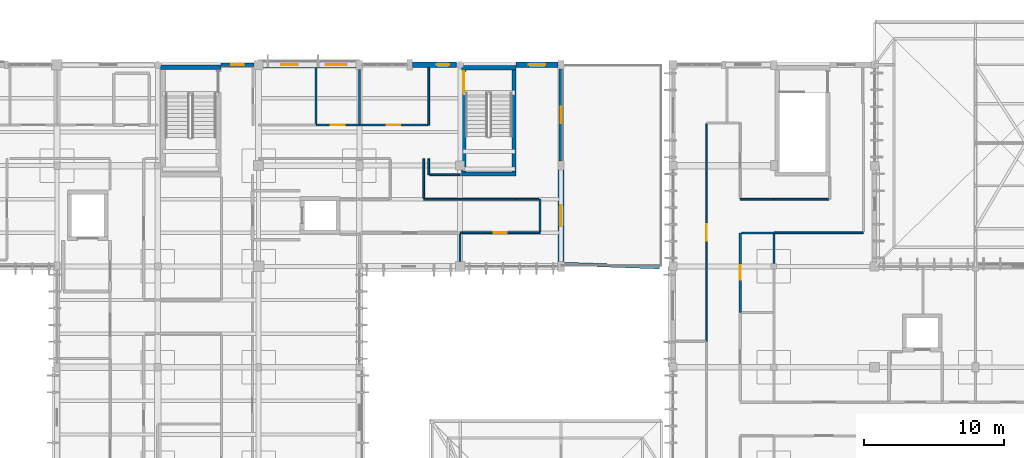
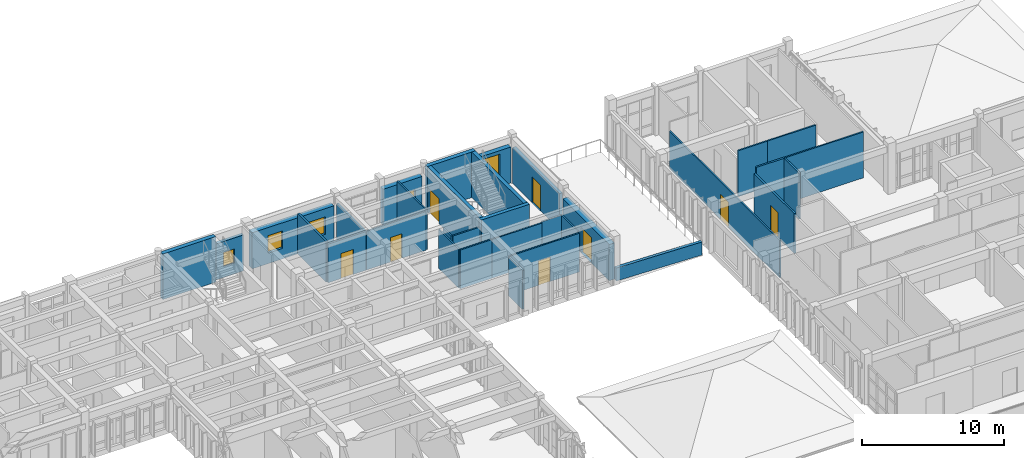
# One storey, part 38 of 51: 33 walls, 8 doors, 5 windows, 13 openings.
"""IFC4 building model written with IfcOpenShell, lengths in metres."""

from ifc_helpers import new_model, si_unit, direction, frame, frame_2d, origin, place, context, subcontext, project, spatial, rectangle, extrude, material, layer, layer_set, type_object, element, fill, save


model = new_model("IFC4")

# Units and contexts
model_context = context("Model", 3, precision=1e-05, world=origin(), true_north=direction((0.0, 1.0)))
body_context = subcontext(model_context, "Body", "Model", "MODEL_VIEW")
ifc_project = project(units=[si_unit("LENGTHUNIT", "METRE"), si_unit("AREAUNIT", "SQUARE_METRE"), si_unit("VOLUMEUNIT", "CUBIC_METRE"), si_unit("PLANEANGLEUNIT", "RADIAN"), si_unit("MASSUNIT", "GRAM", prefix="KILO")], contexts=[model_context])

# Site, building, storey
site_placement = place(None, origin())
site = spatial("IfcSite", under=ifc_project, at=site_placement, CompositionType="ELEMENT")
building_placement = place(site_placement, origin())
building = spatial("IfcBuilding", under=site, at=building_placement, Name="Steenspoor Specialist Clinic", CompositionType="ELEMENT")
storey_placement = place(building_placement, frame((0.0, 0.0, 17.39990234375)))
storey = spatial("IfcBuildingStorey", under=building, at=storey_placement, Name="L04", CompositionType="ELEMENT", Elevation=17.39990234375)

# Wall, opening, window
ifc_material_1 = material(Name="Extruded clay brick masonry", Category="masonry")
ifc_layer_1 = layer(ifc_material_1, 0.3798828125)
ifc_layer_set_1 = layer_set([ifc_layer_1], Name="Extruded clay brick masonry")
wall_type_1 = type_object("IfcWallType", Name="W-BRICK-380", PredefinedType="USERDEFINED", material=ifc_layer_set_1)
wall_1_placement = place(storey_placement, frame((106.800048828125, 108.35009765625, 0.0), z_axis=(0.0, 0.0, 1.0), x_axis=(1.0, 0.0, 0.0)))
wall_1 = element("IfcWall", 1, at=wall_1_placement, inside=storey, type_object=wall_type_1, Name="Exterior Brick Wall EW-V4-L04-0206", ObjectType="CAVITY VENEER", PredefinedType="USERDEFINED", context=body_context, shape_type="SweptSolid", body=[
    extrude(rectangle(XDim=2.974853515625, YDim=0.3798828125, at=frame_2d((1.4873046875, 0.0))), origin(), (0.0, 0.0, 1.0), 3.10009765625),
])
opening_1_placement = place(wall_1_placement, frame((0.887451171875, 0.0, 0.60009765625)))
opening_1 = element("IfcOpeningElement", 2, at=opening_1_placement, cuts=wall_1, Name="Opening WN-15", PredefinedType="OPENING", context=body_context, shape_type="SweptSolid", body=[
    extrude(rectangle(XDim=1.199951171875, YDim=2.199951171875, at=frame_2d((0.60009765625, 1.10009765625))), frame((0.0, 0.199951171875, 0.0), z_axis=(0.0, -1.0, 0.0), x_axis=(1.0, 0.0, 0.0)), (0.0, 0.0, 1.0), 0.39990234375),
])
ifc_material_2 = material(Name="Thermally broken aluminium and low-emissivity glass", Category="aluminium")
window_type_1 = type_object("IfcWindowType", Name="WN-EXT-120X220", PartitioningType="SINGLE_PANEL", PredefinedType="WINDOW", material=ifc_material_2)
window_1_placement = place(opening_1_placement, origin())
window_1 = element("IfcWindow", 3, at=window_1_placement, inside=storey, type_object=window_type_1, Name="Window 0232", OverallHeight=2.199951171875, OverallWidth=1.199951171875, PartitioningType="SINGLE_PANEL", PredefinedType="WINDOW", context=body_context, shape_type="SweptSolid", body=[
    extrude(rectangle(XDim=1.199951171875, YDim=2.199951171875, at=frame_2d((0.60009765625, 1.10009765625))), frame((0.0, 0.030029296875, 0.0), z_axis=(0.0, -1.0, 0.0), x_axis=(1.0, 0.0, 0.0)), (0.0, 0.0, 1.0), 0.06005859375),
])
fill(opening_1, window_1)

ifc_layer_2 = layer(ifc_material_1, 0.409912109375)
ifc_layer_set_2 = layer_set([ifc_layer_2], Name="Extruded clay brick masonry")
wall_type_2 = type_object("IfcWallType", Name="W-BRICK-410", PredefinedType="USERDEFINED", material=ifc_layer_set_2)
wall_2_placement = place(storey_placement, frame((99.389892578125, 108.35009765625, 0.0), z_axis=(0.0, 0.0, 1.0), x_axis=(1.0, 0.0, 0.0)))
wall_2 = element("IfcWall", 4, at=wall_2_placement, inside=storey, type_object=wall_type_2, Name="Exterior Brick Wall EW-V4-L04-0205", ObjectType="CAVITY VENEER", PredefinedType="USERDEFINED", context=body_context, shape_type="SweptSolid", body=[
    extrude(rectangle(XDim=3.16015625, YDim=0.409912109375, at=frame_2d((1.580078125, 0.0))), origin(), (0.0, 0.0, 1.0), 3.10009765625),
])
opening_2_placement = place(wall_2_placement, frame((1.719970703125, 0.0, 0.949951171875)))
opening_2 = element("IfcOpeningElement", 5, at=opening_2_placement, cuts=wall_2, Name="Opening WN-21", PredefinedType="OPENING", context=body_context, shape_type="SweptSolid", body=[
    extrude(rectangle(XDim=0.89990234375, YDim=1.199951171875, at=frame_2d((0.449951171875, 0.60009765625))), frame((0.0, 0.21484375, 0.0), z_axis=(0.0, -1.0, 0.0), x_axis=(1.0, 0.0, 0.0)), (0.0, 0.0, 1.0), 0.429931640625),
])
window_type_2 = type_object("IfcWindowType", Name="WN-EXT-090X120", PartitioningType="SINGLE_PANEL", PredefinedType="WINDOW", material=ifc_material_2)
window_2_placement = place(opening_2_placement, origin())
window_2 = element("IfcWindow", 6, at=window_2_placement, inside=storey, type_object=window_type_2, Name="Window 0231", OverallHeight=1.199951171875, OverallWidth=0.89990234375, PartitioningType="SINGLE_PANEL", PredefinedType="WINDOW", context=body_context, shape_type="SweptSolid", body=[
    extrude(rectangle(XDim=0.89990234375, YDim=1.199951171875, at=frame_2d((0.449951171875, 0.60009765625))), frame((0.0, 0.030029296875, 0.0), z_axis=(0.0, -1.0, 0.0), x_axis=(1.0, 0.0, 0.0)), (0.0, 0.0, 1.0), 0.06005859375),
])
fill(opening_2, window_2)

# Wall, openings, windows
ifc_layer_3 = layer(ifc_material_1, 0.43994140625)
ifc_layer_set_3 = layer_set([ifc_layer_3], Name="Extruded clay brick masonry")
wall_type_3 = type_object("IfcWallType", Name="W-BRICK-440", PredefinedType="USERDEFINED", material=ifc_layer_set_3)
wall_3_placement = place(storey_placement, frame((88.72509765625, 108.35009765625, 0.0), z_axis=(0.0, 0.0, 1.0), x_axis=(1.0, 0.0, 0.0)))
wall_3 = element("IfcWall", 7, at=wall_3_placement, inside=storey, type_object=wall_type_3, Name="Exterior Brick Wall EW-V4-L04-0204", ObjectType="CAVITY VENEER", PredefinedType="USERDEFINED", context=body_context, shape_type="SweptSolid", body=[
    extrude(rectangle(XDim=6.64990234375, YDim=0.43994140625, at=frame_2d((3.324951171875, 0.0))), origin(), (0.0, 0.0, 1.0), 3.10009765625),
])
opening_3_placement = place(wall_3_placement, frame((1.277587890625, 0.0, 0.89990234375)))
opening_3 = element("IfcOpeningElement", 8, at=opening_3_placement, cuts=wall_3, Name="Opening WN-11", PredefinedType="OPENING", context=body_context, shape_type="SweptSolid", body=[
    extrude(rectangle(XDim=1.199951171875, YDim=1.5, at=frame_2d((0.60009765625, 0.75))), frame((0.0, 0.22998046875, 0.0), z_axis=(0.0, -1.0, 0.0), x_axis=(1.0, 0.0, 0.0)), (0.0, 0.0, 1.0), 0.4599609375),
])
opening_4_placement = place(wall_3_placement, frame((4.472412109375, 0.0, 0.89990234375)))
opening_4 = element("IfcOpeningElement", 9, at=opening_4_placement, cuts=wall_3, Name="Opening WN-12", PredefinedType="OPENING", context=body_context, shape_type="SweptSolid", body=[
    extrude(rectangle(XDim=1.5, YDim=1.5, at=frame_2d((0.75, 0.75))), frame((0.0, 0.22998046875, 0.0), z_axis=(0.0, -1.0, 0.0), x_axis=(1.0, 0.0, 0.0)), (0.0, 0.0, 1.0), 0.4599609375),
])
window_type_3 = type_object("IfcWindowType", Name="WN-EXT-120X150", PartitioningType="SINGLE_PANEL", PredefinedType="WINDOW", material=ifc_material_2)
window_3_placement = place(opening_3_placement, origin())
window_3 = element("IfcWindow", 10, at=window_3_placement, inside=storey, type_object=window_type_3, Name="Window 0229", OverallHeight=1.5, OverallWidth=1.199951171875, PartitioningType="SINGLE_PANEL", PredefinedType="WINDOW", context=body_context, shape_type="SweptSolid", body=[
    extrude(rectangle(XDim=1.199951171875, YDim=1.5, at=frame_2d((0.60009765625, 0.75))), frame((0.0, 0.030029296875, 0.0), z_axis=(0.0, -1.0, 0.0), x_axis=(1.0, 0.0, 0.0)), (0.0, 0.0, 1.0), 0.06005859375),
])
fill(opening_3, window_3)
window_type_4 = type_object("IfcWindowType", Name="WN-EXT-150X150", PartitioningType="SINGLE_PANEL", PredefinedType="WINDOW", material=ifc_material_2)
window_4_placement = place(opening_4_placement, origin())
window_4 = element("IfcWindow", 11, at=window_4_placement, inside=storey, type_object=window_type_4, Name="Window 0230", OverallHeight=1.5, OverallWidth=1.5, PartitioningType="SINGLE_PANEL", PredefinedType="WINDOW", context=body_context, shape_type="SweptSolid", body=[
    extrude(rectangle(XDim=1.5, YDim=1.5, at=frame_2d((0.75, 0.75))), frame((0.0, 0.030029296875, 0.0), z_axis=(0.0, -1.0, 0.0), x_axis=(1.0, 0.0, 0.0)), (0.0, 0.0, 1.0), 0.06005859375),
])
fill(opening_4, window_4)

# Wall, opening, door
wall_4_placement = place(storey_placement, frame((110.0, 100.824951171875, 0.0), z_axis=(0.0, 0.0, 1.0), x_axis=(0.0, -1.0, 0.0)))
wall_4 = element("IfcWall", 12, at=wall_4_placement, inside=storey, type_object=wall_type_3, Name="Exterior Brick Wall EW-V4-L04-0208", ObjectType="CAVITY VENEER", PredefinedType="USERDEFINED", context=body_context, shape_type="SweptSolid", body=[
    extrude(rectangle(XDim=6.52490234375, YDim=0.43994140625, at=frame_2d((3.262451171875, 0.0))), origin(), (0.0, 0.0, 1.0), 3.10009765625),
])
opening_5_placement = place(wall_4_placement, frame((2.512451171875, 0.0, 0.0)))
opening_5 = element("IfcOpeningElement", 13, at=opening_5_placement, cuts=wall_4, Name="Opening ED28", PredefinedType="OPENING", context=body_context, shape_type="SweptSolid", body=[
    extrude(rectangle(XDim=1.5, YDim=2.199951171875, at=frame_2d((0.75, 1.10009765625))), frame((0.0, 0.22998046875, 0.0), z_axis=(0.0, -1.0, 0.0), x_axis=(1.0, 0.0, 0.0)), (0.0, 0.0, 1.0), 0.4599609375),
])
ifc_material_3 = material(Name="Anodised aluminium and safety glass", Category="aluminium")
door_type_1 = type_object("IfcDoorType", Name="DT-TERR-150X220", OperationType="NOTDEFINED", PredefinedType="DOOR", material=ifc_material_3)
door_1_placement = place(opening_5_placement, origin())
door_1 = element("IfcDoor", 14, at=door_1_placement, inside=storey, type_object=door_type_1, Name="Roof Terrace Door ED28", OperationType="SINGLE_SWING_LEFT", OverallHeight=2.199951171875, OverallWidth=1.5, PredefinedType="DOOR", context=body_context, shape_type="SweptSolid", body=[
    extrude(rectangle(XDim=1.5, YDim=2.199951171875, at=frame_2d((0.75, 1.10009765625))), frame((0.0, 0.02490234375, 0.0), z_axis=(0.0, -1.0, 0.0), x_axis=(1.0, 0.0, 0.0)), (0.0, 0.0, 1.0), 0.050048828125),
])
fill(opening_5, door_1)

ifc_material_4 = material(Name="Gypsum acoustic clinical partition", Category="gypsum")
ifc_layer_4 = layer(ifc_material_4, 0.14990234375)
ifc_layer_set_4 = layer_set([ifc_layer_4], Name="Gypsum acoustic clinical partition")
wall_type_4 = type_object("IfcWallType", Name="W-CLIN-150", PredefinedType="PARTITIONING", material=ifc_layer_set_4)
wall_5_placement = place(storey_placement, frame((92.5, 104.050048828125, 0.0), z_axis=(0.0, 0.0, 1.0), x_axis=(1.0, 0.0, 0.0)))
wall_5 = element("IfcWall", 15, at=wall_5_placement, inside=storey, type_object=wall_type_4, Name="Interior Partition IW-V4-L04-1823", PredefinedType="PARTITIONING", context=body_context, shape_type="SweptSolid", body=[
    extrude(rectangle(XDim=3.10009765625, YDim=0.14990234375, at=frame_2d((1.550048828125, 0.0))), origin(), (0.0, 0.0, 1.0), 3.3251953125),
])
opening_6_placement = place(wall_5_placement, frame((1.050048828125, 0.0, 0.0)))
opening_6 = element("IfcOpeningElement", 16, at=opening_6_placement, cuts=wall_5, Name="Opening D0305", PredefinedType="OPENING", context=body_context, shape_type="SweptSolid", body=[
    extrude(rectangle(XDim=1.0, YDim=2.14990234375, at=frame_2d((0.5, 1.074951171875))), frame((0.0, 0.0849609375, 0.0), z_axis=(0.0, -1.0, 0.0), x_axis=(1.0, 0.0, 0.0)), (0.0, 0.0, 1.0), 0.169921875),
])
ifc_material_5 = material(Name="Moisture-resistant HPL accessible WC door", Category="wood")
door_type_2 = type_object("IfcDoorType", Name="DT-AWC-100X215", OperationType="NOTDEFINED", PredefinedType="DOOR", material=ifc_material_5)
door_2_placement = place(opening_6_placement, origin())
door_2 = element("IfcDoor", 17, at=door_2_placement, inside=storey, type_object=door_type_2, Name="Clinical Door D0305", OperationType="SINGLE_SWING_RIGHT", OverallHeight=2.14990234375, OverallWidth=1.0, PredefinedType="DOOR", context=body_context, shape_type="SweptSolid", body=[
    extrude(rectangle(XDim=1.0, YDim=2.14990234375, at=frame_2d((0.5, 1.074951171875))), frame((0.0, 0.02490234375, 0.0), z_axis=(0.0, -1.0, 0.0), x_axis=(1.0, 0.0, 0.0)), (0.0, 0.0, 1.0), 0.050048828125),
])
fill(opening_6, door_2)

wall_6_placement = place(storey_placement, frame((122.800048828125, 90.6650390625, 0.0), z_axis=(0.0, 0.0, 1.0), x_axis=(0.0, 1.0, 0.0)))
wall_6 = element("IfcWall", 18, at=wall_6_placement, inside=storey, type_object=wall_type_4, Name="Interior Partition IW-V6-L04-1836", PredefinedType="PARTITIONING", context=body_context, shape_type="SweptSolid", body=[
    extrude(rectangle(XDim=5.68505859375, YDim=0.14990234375, at=frame_2d((2.842529296875, 0.0))), origin(), (0.0, 0.0, 1.0), 3.440185546875),
])
opening_7_placement = place(wall_6_placement, frame((2.3173828125, 0.0, 0.0)))
opening_7 = element("IfcOpeningElement", 19, at=opening_7_placement, cuts=wall_6, Name="Opening D0514", PredefinedType="OPENING", context=body_context, shape_type="SweptSolid", body=[
    extrude(rectangle(XDim=1.050048828125, YDim=2.14990234375, at=frame_2d((0.52490234375, 1.074951171875))), frame((0.0, 0.0849609375, 0.0), z_axis=(0.0, -1.0, 0.0), x_axis=(1.0, 0.0, 0.0)), (0.0, 0.0, 1.0), 0.169921875),
])
ifc_material_6 = material(Name="Solid-core hardwood office door", Category="wood")
door_type_3 = type_object("IfcDoorType", Name="DT-OFF-105X215", OperationType="NOTDEFINED", PredefinedType="DOOR", material=ifc_material_6)
door_3_placement = place(opening_7_placement, origin())
door_3 = element("IfcDoor", 20, at=door_3_placement, inside=storey, type_object=door_type_3, Name="Clinical Door D0514", OperationType="SINGLE_SWING_LEFT", OverallHeight=2.14990234375, OverallWidth=1.050048828125, PredefinedType="DOOR", context=body_context, shape_type="SweptSolid", body=[
    extrude(rectangle(XDim=1.050048828125, YDim=2.14990234375, at=frame_2d((0.52490234375, 1.074951171875))), frame((0.0, 0.02490234375, 0.0), z_axis=(0.0, -1.0, 0.0), x_axis=(1.0, 0.0, 0.0)), (0.0, 0.0, 1.0), 0.050048828125),
])
fill(opening_7, door_3)

# Walls
wall_7_placement = place(storey_placement, frame((122.889892578125, 96.35009765625, 0.0), z_axis=(0.0, 0.0, 1.0), x_axis=(1.0, 0.0, 0.0)))
element("IfcWall", 21, at=wall_7_placement, inside=storey, type_object=wall_type_4, Name="Interior Partition IW-V6-L04-1837", PredefinedType="PARTITIONING", context=body_context, shape_type="SweptSolid", body=[
    extrude(rectangle(XDim=2.31005859375, YDim=0.14990234375, at=frame_2d((1.155029296875, 0.0))), origin(), (0.0, 0.0, 1.0), 3.9501953125),
])
wall_8_placement = place(storey_placement, frame((102.800048828125, 94.31494140625, 0.0), z_axis=(0.0, 0.0, 1.0), x_axis=(0.0, 1.0, 0.0)))
element("IfcWall", 22, at=wall_8_placement, inside=storey, type_object=wall_type_4, Name="Interior Partition IW-V4-L04-1908", PredefinedType="PARTITIONING", context=body_context, shape_type="SweptSolid", body=[
    extrude(rectangle(XDim=1.945068359375, YDim=0.14990234375, at=frame_2d((0.97265625, 0.0))), origin(), (0.0, 0.0, 1.0), 3.3251953125),
])
wall_9_placement = place(storey_placement, frame((92.5, 104.139892578125, 0.0), z_axis=(0.0, 0.0, 1.0), x_axis=(0.0, 1.0, 0.0)))
element("IfcWall", 23, at=wall_9_placement, inside=storey, type_object=wall_type_4, Name="Interior Partition IW-V4-L04-1910", PredefinedType="PARTITIONING", context=body_context, shape_type="SweptSolid", body=[
    extrude(rectangle(XDim=3.97509765625, YDim=0.14990234375, at=frame_2d((1.987548828125, 0.0))), origin(), (0.0, 0.0, 1.0), 3.485107421875),
])
wall_10_placement = place(storey_placement, frame((95.60009765625, 104.139892578125, 0.0), z_axis=(0.0, 0.0, 1.0), x_axis=(0.0, 1.0, 0.0)))
element("IfcWall", 24, at=wall_10_placement, inside=storey, type_object=wall_type_4, Name="Interior Partition IW-V4-L04-1911", PredefinedType="PARTITIONING", context=body_context, shape_type="SweptSolid", body=[
    extrude(rectangle(XDim=3.8701171875, YDim=0.14990234375, at=frame_2d((1.93505859375, 0.0))), origin(), (0.0, 0.0, 1.0), 3.3251953125),
])
wall_11_placement = place(storey_placement, frame((125.199951171875, 94.1650390625, 0.0), z_axis=(0.0, 0.0, 1.0), x_axis=(0.0, 1.0, 0.0)))
element("IfcWall", 25, at=wall_11_placement, inside=storey, type_object=wall_type_4, Name="Interior Partition IW-V6-L04-1923", PredefinedType="PARTITIONING", context=body_context, shape_type="SweptSolid", body=[
    extrude(rectangle(XDim=2.094970703125, YDim=0.14990234375, at=frame_2d((1.04736328125, 0.0))), origin(), (0.0, 0.0, 1.0), 3.9501953125),
])
ifc_material_7 = material(Name="Concrete C40/50", Category="concrete")
ifc_layer_5 = layer(ifc_material_7, 0.330078125)
ifc_layer_set_5 = layer_set([ifc_layer_5], Name="Concrete C40/50")
wall_type_5 = type_object("IfcWallType", Name="W-ESW-330", PredefinedType="SHEAR", material=ifc_layer_set_5)
wall_12_placement = place(storey_placement, frame((102.89990234375, 108.14990234375, 0.0), z_axis=(0.0, 0.0, 1.0), x_axis=(1.0, 0.0, 0.0)))
element("IfcWall", 26, at=wall_12_placement, inside=storey, type_object=wall_type_5, Name="Core Shear Wall SW-ST-V4B-L04-N", PredefinedType="SHEAR", context=body_context, shape_type="SweptSolid", body=[
    extrude(rectangle(XDim=3.900146484375, YDim=0.330078125, at=frame_2d((1.9501953125, 0.0))), origin(), (0.0, 0.0, 1.0), 3.920166015625),
])
wall_13_placement = place(storey_placement, frame((81.39990234375, 108.175048828125, 0.0), z_axis=(0.0, 0.0, 1.0), x_axis=(1.0, 0.0, 0.0)))
element("IfcWall", 27, at=wall_13_placement, inside=storey, type_object=wall_type_5, Name="Core Shear Wall SW-ST-V4C-L04-N", PredefinedType="SHEAR", context=body_context, shape_type="SweptSolid", body=[
    extrude(rectangle(XDim=4.300048828125, YDim=0.330078125, at=frame_2d((2.14990234375, 0.0))), origin(), (0.0, 0.0, 1.0), 3.920166015625),
])
ifc_layer_6 = layer(ifc_material_1, 0.239990234375)
ifc_layer_set_6 = layer_set([ifc_layer_6], Name="Extruded clay brick masonry")
wall_type_6 = type_object("IfcWallType", Name="W-PARAPET-240", PredefinedType="PARAPET", material=ifc_layer_set_6)
wall_14_placement = place(storey_placement, frame((110.179931640625, 94.1298828125, 0.0), z_axis=(0.0, 0.0, 1.0), x_axis=(0.999385059583, -0.035064265038, 0.0)))
element("IfcWall", 28, at=wall_14_placement, inside=storey, type_object=wall_type_6, Name="Terrace Brick Parapet V4 L04 2", PredefinedType="PARAPET", context=body_context, shape_type="SweptSolid", body=[
    extrude(rectangle(XDim=6.84423828125, YDim=0.239990234375, at=frame_2d((3.422119140625, 0.0))), origin(), (0.0, 0.0, 1.0), 1.1201171875),
])
ifc_material_8 = material(Name="Gypsum studio partition board", Category="gypsum")
ifc_layer_7 = layer(ifc_material_8, 0.1201171875)
ifc_layer_set_7 = layer_set([ifc_layer_7], Name="Gypsum studio partition board")
wall_type_7 = type_object("IfcWallType", Name="W-PART-120", PredefinedType="PARTITIONING", material=ifc_layer_set_7)
wall_15_placement = place(storey_placement, frame((100.550048828125, 100.5, 0.0), z_axis=(0.0, 0.0, 1.0), x_axis=(0.0, 1.0, 0.0)))
element("IfcWall", 29, at=wall_15_placement, inside=storey, type_object=wall_type_7, Name="Interior Partition IW-V4-L04-1861", PredefinedType="PARTITIONING", context=body_context, shape_type="SweptSolid", body=[
    extrude(rectangle(XDim=1.14990234375, YDim=0.1201171875, at=frame_2d((0.574951171875, 0.0))), origin(), (0.0, 0.0, 1.0), 3.3251953125),
])
wall_16_placement = place(storey_placement, frame((100.625, 100.5, 0.0), z_axis=(0.0, 0.0, 1.0), x_axis=(1.0, 0.0, 0.0)))
element("IfcWall", 30, at=wall_16_placement, inside=storey, type_object=wall_type_7, Name="Interior Partition IW-V4-L04-1862", PredefinedType="PARTITIONING", context=body_context, shape_type="SweptSolid", body=[
    extrude(rectangle(XDim=2.175048828125, YDim=0.1201171875, at=frame_2d((1.08740234375, 0.0))), origin(), (0.0, 0.0, 1.0), 3.3251953125),
])

# Wall, opening, door
wall_17_placement = place(storey_placement, frame((102.81494140625, 96.35009765625, 0.0), z_axis=(0.0, 0.0, 1.0), x_axis=(1.0, 0.0, 0.0)))
wall_17 = element("IfcWall", 31, at=wall_17_placement, inside=storey, type_object=wall_type_7, Name="Interior Partition IW-V4-L04-1863", PredefinedType="PARTITIONING", context=body_context, shape_type="SweptSolid", body=[
    extrude(rectangle(XDim=5.68505859375, YDim=0.1201171875, at=frame_2d((2.842529296875, 0.0))), origin(), (0.0, 0.0, 1.0), 3.3251953125),
])
opening_8_placement = place(wall_17_placement, frame((2.367431640625, 0.0, 0.0)))
opening_8 = element("IfcOpeningElement", 32, at=opening_8_placement, cuts=wall_17, Name="Opening D0300", PredefinedType="OPENING", context=body_context, shape_type="SweptSolid", body=[
    extrude(rectangle(XDim=0.949951171875, YDim=2.10009765625, at=frame_2d((0.47509765625, 1.050048828125))), frame((0.0, 0.070068359375, 0.0), z_axis=(0.0, -1.0, 0.0), x_axis=(1.0, 0.0, 0.0)), (0.0, 0.0, 1.0), 0.14013671875),
])
ifc_material_9 = material(Name="Moisture-resistant HPL sanitary door", Category="wood")
door_type_4 = type_object("IfcDoorType", Name="DT-WC-095X210", OperationType="NOTDEFINED", PredefinedType="DOOR", material=ifc_material_9)
door_4_placement = place(opening_8_placement, origin())
door_4 = element("IfcDoor", 33, at=door_4_placement, inside=storey, type_object=door_type_4, Name="Clinical Door D0300", OperationType="SINGLE_SWING_LEFT", OverallHeight=2.10009765625, OverallWidth=0.949951171875, PredefinedType="DOOR", context=body_context, shape_type="SweptSolid", body=[
    extrude(rectangle(XDim=0.949951171875, YDim=2.10009765625, at=frame_2d((0.47509765625, 1.050048828125))), frame((0.0, 0.02490234375, 0.0), z_axis=(0.0, -1.0, 0.0), x_axis=(1.0, 0.0, 0.0)), (0.0, 0.0, 1.0), 0.050048828125),
])
fill(opening_8, door_4)

# Walls
wall_18_placement = place(storey_placement, frame((108.5, 96.425048828125, 0.0), z_axis=(0.0, 0.0, 1.0), x_axis=(0.0, 1.0, 0.0)))
element("IfcWall", 34, at=wall_18_placement, inside=storey, type_object=wall_type_7, Name="Interior Partition IW-V4-L04-1864", PredefinedType="PARTITIONING", context=body_context, shape_type="SweptSolid", body=[
    extrude(rectangle(XDim=2.324951171875, YDim=0.1201171875, at=frame_2d((1.16259765625, 0.0))), origin(), (0.0, 0.0, 1.0), 3.445068359375),
])
wall_19_placement = place(storey_placement, frame((106.85009765625, 98.75, 0.0), z_axis=(0.0, 0.0, 1.0), x_axis=(1.0, 0.0, 0.0)))
element("IfcWall", 35, at=wall_19_placement, inside=storey, type_object=wall_type_7, Name="Interior Partition IW-V4-L04-1865", PredefinedType="PARTITIONING", context=body_context, shape_type="SweptSolid", body=[
    extrude(rectangle(XDim=1.574951171875, YDim=0.1201171875, at=frame_2d((0.78759765625, 0.0))), origin(), (0.0, 0.0, 1.0), 3.445068359375),
])
wall_20_placement = place(storey_placement, frame((102.800048828125, 98.75, 0.0), z_axis=(0.0, 0.0, 1.0), x_axis=(1.0, 0.0, 0.0)))
element("IfcWall", 36, at=wall_20_placement, inside=storey, type_object=wall_type_7, Name="Interior Partition IW-V4-L04-1866", PredefinedType="PARTITIONING", context=body_context, shape_type="SweptSolid", body=[
    extrude(rectangle(XDim=4.034912109375, YDim=0.1201171875, at=frame_2d((2.017578125, 0.0))), origin(), (0.0, 0.0, 1.0), 3.3251953125),
])
wall_21_placement = place(storey_placement, frame((100.199951171875, 98.75, 0.0), z_axis=(0.0, 0.0, 1.0), x_axis=(1.0, 0.0, 0.0)))
element("IfcWall", 37, at=wall_21_placement, inside=storey, type_object=wall_type_7, Name="Interior Partition IW-V4-L04-1867", PredefinedType="PARTITIONING", context=body_context, shape_type="SweptSolid", body=[
    extrude(rectangle(XDim=2.5849609375, YDim=0.1201171875, at=frame_2d((1.29248046875, 0.0))), origin(), (0.0, 0.0, 1.0), 3.3251953125),
])
wall_22_placement = place(storey_placement, frame((100.199951171875, 98.824951171875, 0.0), z_axis=(0.0, 0.0, 1.0), x_axis=(0.0, 1.0, 0.0)))
element("IfcWall", 38, at=wall_22_placement, inside=storey, type_object=wall_type_7, Name="Interior Partition IW-V4-L04-1868", PredefinedType="PARTITIONING", context=body_context, shape_type="SweptSolid", body=[
    extrude(rectangle(XDim=2.824951171875, YDim=0.1201171875, at=frame_2d((1.41259765625, 0.0))), origin(), (0.0, 0.0, 1.0), 3.3251953125),
])
wall_23_placement = place(storey_placement, frame((100.550048828125, 104.050048828125, 0.0), z_axis=(0.0, 0.0, 1.0), x_axis=(0.0, 1.0, 0.0)))
element("IfcWall", 39, at=wall_23_placement, inside=storey, type_object=wall_type_7, Name="Interior Partition IW-V4-L04-1871", PredefinedType="PARTITIONING", context=body_context, shape_type="SweptSolid", body=[
    extrude(rectangle(XDim=4.079833984375, YDim=0.1201171875, at=frame_2d((2.0400390625, 0.0))), origin(), (0.0, 0.0, 1.0), 3.445068359375),
])

# Wall, opening, door
wall_24_placement = place(storey_placement, frame((95.614990234375, 104.050048828125, 0.0), z_axis=(0.0, 0.0, 1.0), x_axis=(1.0, 0.0, 0.0)))
wall_24 = element("IfcWall", 40, at=wall_24_placement, inside=storey, type_object=wall_type_7, Name="Interior Partition IW-V4-L04-1872", PredefinedType="PARTITIONING", context=body_context, shape_type="SweptSolid", body=[
    extrude(rectangle(XDim=4.860107421875, YDim=0.1201171875, at=frame_2d((2.43017578125, 0.0))), origin(), (0.0, 0.0, 1.0), 3.3251953125),
])
opening_9_placement = place(wall_24_placement, frame((1.955078125, 0.0, 0.0)))
opening_9 = element("IfcOpeningElement", 41, at=opening_9_placement, cuts=wall_24, Name="Opening D0306", PredefinedType="OPENING", context=body_context, shape_type="SweptSolid", body=[
    extrude(rectangle(XDim=0.949951171875, YDim=2.10009765625, at=frame_2d((0.47509765625, 1.050048828125))), frame((0.0, 0.070068359375, 0.0), z_axis=(0.0, -1.0, 0.0), x_axis=(1.0, 0.0, 0.0)), (0.0, 0.0, 1.0), 0.14013671875),
])
door_5_placement = place(opening_9_placement, origin())
door_5 = element("IfcDoor", 42, at=door_5_placement, inside=storey, type_object=door_type_4, Name="Clinical Door D0306", OperationType="SINGLE_SWING_LEFT", OverallHeight=2.10009765625, OverallWidth=0.949951171875, PredefinedType="DOOR", context=body_context, shape_type="SweptSolid", body=[
    extrude(rectangle(XDim=0.949951171875, YDim=2.10009765625, at=frame_2d((0.47509765625, 1.050048828125))), frame((0.0, 0.02490234375, 0.0), z_axis=(0.0, -1.0, 0.0), x_axis=(1.0, 0.0, 0.0)), (0.0, 0.0, 1.0), 0.050048828125),
])
fill(opening_9, door_5)

# Wall
wall_25_placement = place(storey_placement, frame((125.215087890625, 96.35009765625, 0.0), z_axis=(0.0, 0.0, 1.0), x_axis=(1.0, 0.0, 0.0)))
element("IfcWall", 43, at=wall_25_placement, inside=storey, type_object=wall_type_7, Name="Interior Partition IW-V6-L04-1890", PredefinedType="PARTITIONING", context=body_context, shape_type="SweptSolid", body=[
    extrude(rectangle(XDim=6.385009765625, YDim=0.1201171875, at=frame_2d((3.1923828125, 0.0))), origin(), (0.0, 0.0, 1.0), 3.9501953125),
])

# Wall, opening, door
wall_26_placement = place(storey_placement, frame((120.39990234375, 88.614990234375, 0.0), z_axis=(0.0, 0.0, 1.0), x_axis=(0.0, 1.0, 0.0)))
wall_26 = element("IfcWall", 44, at=wall_26_placement, inside=storey, type_object=wall_type_7, Name="Interior Partition IW-V6-L04-1894", PredefinedType="PARTITIONING", context=body_context, shape_type="SweptSolid", body=[
    extrude(rectangle(XDim=15.510009765625, YDim=0.1201171875, at=frame_2d((7.7548828125, 0.0))), origin(), (0.0, 0.0, 1.0), 3.22021484375),
])
opening_10_placement = place(wall_26_placement, frame((7.179931640625, 0.0, 0.0)))
opening_10 = element("IfcOpeningElement", 45, at=opening_10_placement, cuts=wall_26, Name="Opening D0513", PredefinedType="OPENING", context=body_context, shape_type="SweptSolid", body=[
    extrude(rectangle(XDim=1.14990234375, YDim=2.14990234375, at=frame_2d((0.574951171875, 1.074951171875))), frame((0.0, 0.070068359375, 0.0), z_axis=(0.0, -1.0, 0.0), x_axis=(1.0, 0.0, 0.0)), (0.0, 0.0, 1.0), 0.14013671875),
])
ifc_material_10 = material(Name="Solid-core hardwood clinical door", Category="wood")
door_type_5 = type_object("IfcDoorType", Name="DT-CONS-115X215", OperationType="NOTDEFINED", PredefinedType="DOOR", material=ifc_material_10)
door_6_placement = place(opening_10_placement, origin())
door_6 = element("IfcDoor", 46, at=door_6_placement, inside=storey, type_object=door_type_5, Name="Clinical Door D0513", OperationType="SINGLE_SWING_RIGHT", OverallHeight=2.14990234375, OverallWidth=1.14990234375, PredefinedType="DOOR", context=body_context, shape_type="SweptSolid", body=[
    extrude(rectangle(XDim=1.14990234375, YDim=2.14990234375, at=frame_2d((0.574951171875, 1.074951171875))), frame((0.0, 0.02490234375, 0.0), z_axis=(0.0, -1.0, 0.0), x_axis=(1.0, 0.0, 0.0)), (0.0, 0.0, 1.0), 0.050048828125),
])
fill(opening_10, door_6)

# Walls
wall_27_placement = place(storey_placement, frame((125.199951171875, 98.75, 0.0), z_axis=(0.0, 0.0, 1.0), x_axis=(1.0, 0.0, 0.0)))
element("IfcWall", 47, at=wall_27_placement, inside=storey, type_object=wall_type_7, Name="Interior Partition IW-V6-L04-1896", PredefinedType="PARTITIONING", context=body_context, shape_type="SweptSolid", body=[
    extrude(rectangle(XDim=3.925048828125, YDim=0.1201171875, at=frame_2d((1.96240234375, 0.0))), origin(), (0.0, 0.0, 1.0), 3.9501953125),
])
wall_28_placement = place(storey_placement, frame((122.800048828125, 98.75, 0.0), z_axis=(0.0, 0.0, 1.0), x_axis=(1.0, 0.0, 0.0)))
element("IfcWall", 48, at=wall_28_placement, inside=storey, type_object=wall_type_7, Name="Interior Partition IW-V6-L04-1897", PredefinedType="PARTITIONING", context=body_context, shape_type="SweptSolid", body=[
    extrude(rectangle(XDim=2.385009765625, YDim=0.1201171875, at=frame_2d((1.1923828125, 0.0))), origin(), (0.0, 0.0, 1.0), 3.9501953125),
])

# Wall, opening, window
ifc_layer_8 = layer(ifc_material_1, 0.260009765625)
ifc_layer_set_8 = layer_set([ifc_layer_8], Name="Extruded clay brick masonry")
wall_type_8 = type_object("IfcWallType", Name="W-SCREEN-260", PredefinedType="SOLIDWALL", material=ifc_layer_set_8)
wall_29_placement = place(storey_placement, frame((85.699951171875, 108.35009765625, 0.0), z_axis=(0.0, 0.0, 1.0), x_axis=(1.0, 0.0, 0.0)))
wall_29 = element("IfcWall", 49, at=wall_29_placement, inside=storey, type_object=wall_type_8, Name="Exterior Brick Wall EW-V4-L04-0203", PredefinedType="SOLIDWALL", context=body_context, shape_type="SweptSolid", body=[
    extrude(rectangle(XDim=2.375, YDim=0.260009765625, at=frame_2d((1.1875, 0.0))), origin(), (0.0, 0.0, 1.0), 3.10009765625),
])
opening_11_placement = place(wall_29_placement, frame((0.737548828125, 0.0, 0.949951171875)))
opening_11 = element("IfcOpeningElement", 50, at=opening_11_placement, cuts=wall_29, Name="Opening WN-21", PredefinedType="OPENING", context=body_context, shape_type="SweptSolid", body=[
    extrude(rectangle(XDim=0.89990234375, YDim=1.199951171875, at=frame_2d((0.449951171875, 0.60009765625))), frame((0.0, 0.14013671875, 0.0), z_axis=(0.0, -1.0, 0.0), x_axis=(1.0, 0.0, 0.0)), (0.0, 0.0, 1.0), 0.280029296875),
])
window_5_placement = place(opening_11_placement, origin())
window_5 = element("IfcWindow", 51, at=window_5_placement, inside=storey, type_object=window_type_2, Name="Window 0228", OverallHeight=1.199951171875, OverallWidth=0.89990234375, PartitioningType="SINGLE_PANEL", PredefinedType="WINDOW", context=body_context, shape_type="SweptSolid", body=[
    extrude(rectangle(XDim=0.89990234375, YDim=1.199951171875, at=frame_2d((0.449951171875, 0.60009765625))), frame((0.0, 0.030029296875, 0.0), z_axis=(0.0, -1.0, 0.0), x_axis=(1.0, 0.0, 0.0)), (0.0, 0.0, 1.0), 0.06005859375),
])
fill(opening_11, window_5)

# Wall, opening, door
wall_30_placement = place(storey_placement, frame((110.0, 108.050048828125, 0.0), z_axis=(0.0, 0.0, 1.0), x_axis=(0.0, -1.0, 0.0)))
wall_30 = element("IfcWall", 52, at=wall_30_placement, inside=storey, type_object=wall_type_8, Name="Exterior Brick Wall EW-V4-L04-0207", PredefinedType="SOLIDWALL", context=body_context, shape_type="SweptSolid", body=[
    extrude(rectangle(XDim=6.574951171875, YDim=0.260009765625, at=frame_2d((3.28759765625, 0.0))), origin(), (0.0, 0.0, 1.0), 3.10009765625),
])
opening_12_placement = place(wall_30_placement, frame((2.6875, 0.0, 0.0)))
opening_12 = element("IfcOpeningElement", 53, at=opening_12_placement, cuts=wall_30, Name="Opening ED27", PredefinedType="OPENING", context=body_context, shape_type="SweptSolid", body=[
    extrude(rectangle(XDim=1.199951171875, YDim=2.199951171875, at=frame_2d((0.60009765625, 1.10009765625))), frame((0.0, 0.14013671875, 0.0), z_axis=(0.0, -1.0, 0.0), x_axis=(1.0, 0.0, 0.0)), (0.0, 0.0, 1.0), 0.280029296875),
])
door_type_6 = type_object("IfcDoorType", Name="DT-TERR-120X220", OperationType="NOTDEFINED", PredefinedType="DOOR", material=ifc_material_3)
door_7_placement = place(opening_12_placement, origin())
door_7 = element("IfcDoor", 54, at=door_7_placement, inside=storey, type_object=door_type_6, Name="Roof Terrace Door ED27", OperationType="SINGLE_SWING_RIGHT", OverallHeight=2.199951171875, OverallWidth=1.199951171875, PredefinedType="DOOR", context=body_context, shape_type="SweptSolid", body=[
    extrude(rectangle(XDim=1.199951171875, YDim=2.199951171875, at=frame_2d((0.60009765625, 1.10009765625))), frame((0.0, 0.02490234375, 0.0), z_axis=(0.0, -1.0, 0.0), x_axis=(1.0, 0.0, 0.0)), (0.0, 0.0, 1.0), 0.050048828125),
])
fill(opening_12, door_7)

# Wall
ifc_layer_9 = layer(ifc_material_7, 0.300048828125)
ifc_layer_set_9 = layer_set([ifc_layer_9], Name="Concrete C40/50")
wall_type_9 = type_object("IfcWallType", Name="W-SW-300", PredefinedType="SHEAR", material=ifc_layer_set_9)
wall_31_placement = place(storey_placement, frame((102.89990234375, 100.550048828125, 0.0), z_axis=(0.0, 0.0, 1.0), x_axis=(1.0, 0.0, 0.0)))
element("IfcWall", 55, at=wall_31_placement, inside=storey, type_object=wall_type_9, Name="Core Shear Wall SW-ST-V4B-L04-S", PredefinedType="SHEAR", context=body_context, shape_type="SweptSolid", body=[
    extrude(rectangle(XDim=3.900146484375, YDim=0.300048828125, at=frame_2d((1.9501953125, 0.0))), origin(), (0.0, 0.0, 1.0), 3.920166015625),
])

# Wall, opening, door
wall_32_placement = place(storey_placement, frame((103.050048828125, 100.699951171875, 0.0), z_axis=(0.0, 0.0, 1.0), x_axis=(0.0, 1.0, 0.0)))
wall_32 = element("IfcWall", 56, at=wall_32_placement, inside=storey, type_object=wall_type_9, Name="Core Shear Wall SW-ST-V4B-L04-W", PredefinedType="SHEAR", context=body_context, shape_type="SweptSolid", body=[
    extrude(rectangle(XDim=7.300048828125, YDim=0.300048828125, at=frame_2d((3.64990234375, 0.0))), origin(), (0.0, 0.0, 1.0), 3.920166015625),
])
opening_13_placement = place(wall_32_placement, frame((5.679931640625, 0.0, 0.0)))
opening_13 = element("IfcOpeningElement", 57, at=opening_13_placement, cuts=wall_32, Name="Opening SD019", PredefinedType="OPENING", context=body_context, shape_type="SweptSolid", body=[
    extrude(rectangle(XDim=1.5, YDim=2.14990234375, at=frame_2d((0.75, 1.074951171875))), frame((0.0, 0.16015625, 0.0), z_axis=(0.0, -1.0, 0.0), x_axis=(1.0, 0.0, 0.0)), (0.0, 0.0, 1.0), 0.320068359375),
])
ifc_material_11 = material(Name="Fire-rated steel acoustic door", Category="steel")
door_type_7 = type_object("IfcDoorType", Name="DT-STAIR-150X215", OperationType="NOTDEFINED", PredefinedType="DOOR", material=ifc_material_11)
door_8_placement = place(opening_13_placement, origin())
door_8 = element("IfcDoor", 58, at=door_8_placement, inside=storey, type_object=door_type_7, Name="Exit Stair Fire Door SD019", OperationType="SINGLE_SWING_RIGHT", OverallHeight=2.14990234375, OverallWidth=1.5, PredefinedType="DOOR", context=body_context, shape_type="SweptSolid", body=[
    extrude(rectangle(XDim=1.5, YDim=2.14990234375, at=frame_2d((0.75, 1.074951171875))), frame((0.0, 0.02490234375, 0.0), z_axis=(0.0, -1.0, 0.0), x_axis=(1.0, 0.0, 0.0)), (0.0, 0.0, 1.0), 0.050048828125),
])
fill(opening_13, door_8)

# Wall
wall_33_placement = place(storey_placement, frame((106.64990234375, 100.699951171875, 0.0), z_axis=(0.0, 0.0, 1.0), x_axis=(0.0, 1.0, 0.0)))
element("IfcWall", 59, at=wall_33_placement, inside=storey, type_object=wall_type_9, Name="Core Shear Wall SW-ST-V4B-L04-E", PredefinedType="SHEAR", context=body_context, shape_type="SweptSolid", body=[
    extrude(rectangle(XDim=7.300048828125, YDim=0.300048828125, at=frame_2d((3.64990234375, 0.0))), origin(), (0.0, 0.0, 1.0), 3.920166015625),
])

save(model, "model.ifc")
